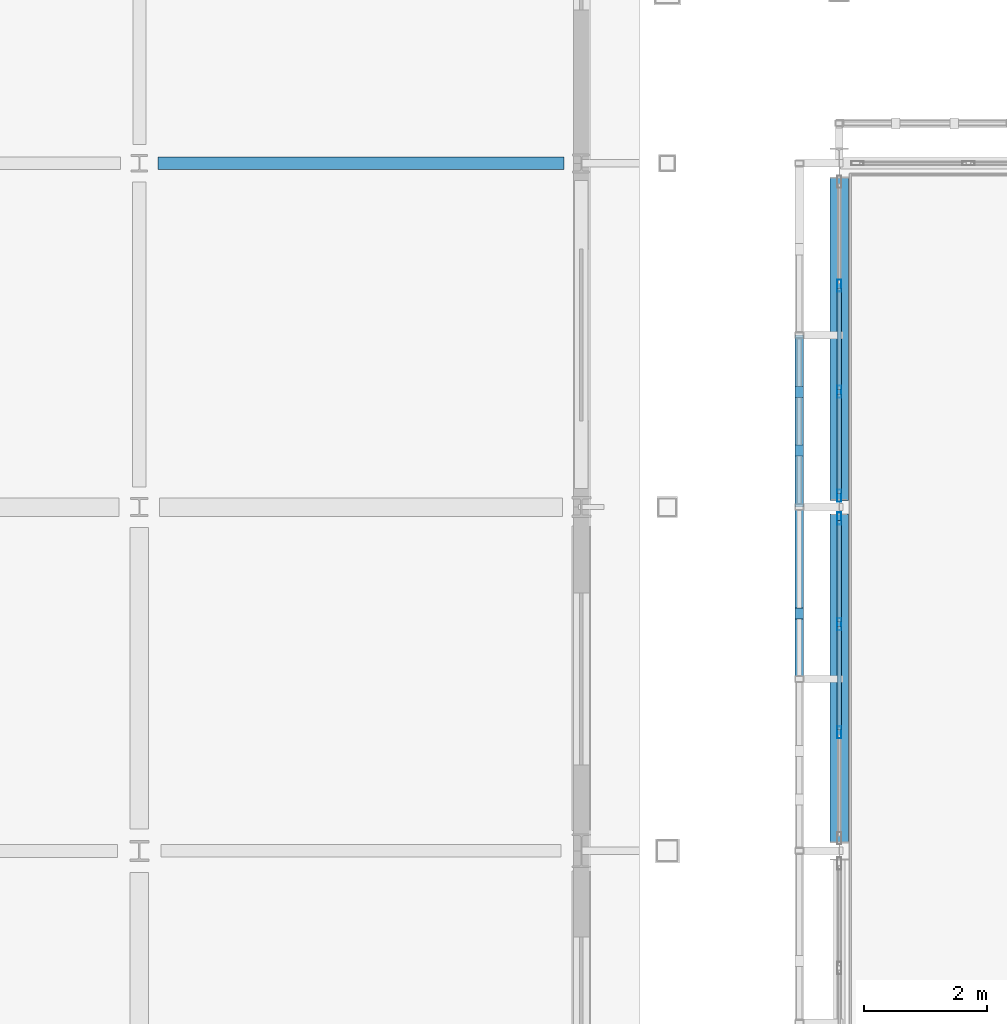
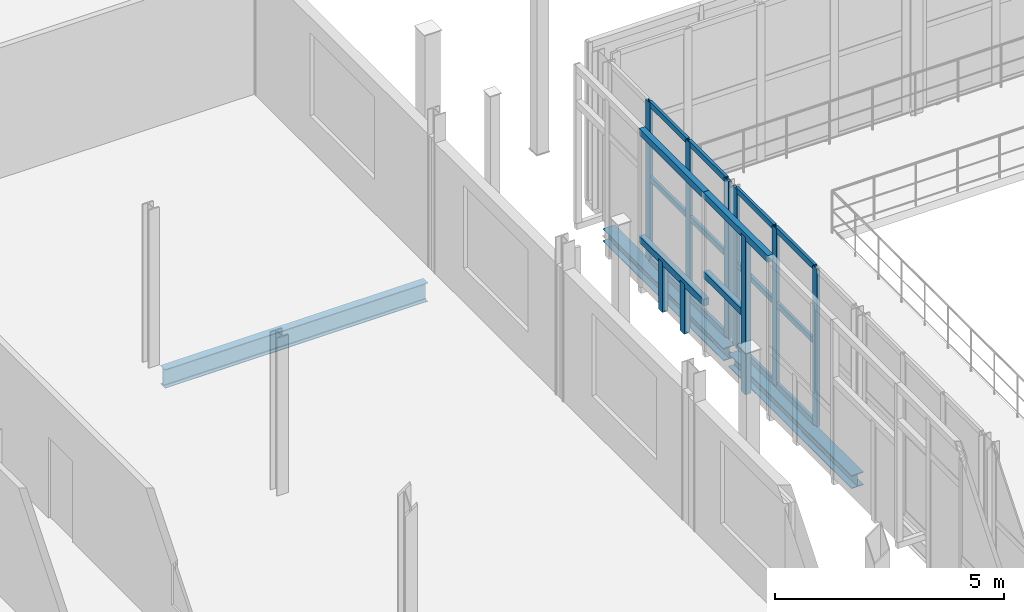
# One storey, part 39 of 138: 25 members, 3 beams, 2 elements without a shape of their own.
"""IFC4 building model written with IfcOpenShell, lengths in metres."""

from ifc_helpers import new_model, si_unit, direction, frame, origin, origin_2d, place, context, subcontext, project, spatial, rectangle, hollow_rectangle, i_section, extrude, material, layer, layer_set, material_profile, profile_set, type_object, element, aggregate, save


model = new_model("IFC4")

# Units and contexts
model_context = context("Model", 3, precision=1e-05, world=origin(), true_north=direction((0.0, 1.0)))
body_context = subcontext(model_context, "Body", "Model", "MODEL_VIEW")
ifc_project = project(units=[si_unit("LENGTHUNIT", "METRE"), si_unit("AREAUNIT", "SQUARE_METRE"), si_unit("VOLUMEUNIT", "CUBIC_METRE"), si_unit("PLANEANGLEUNIT", "RADIAN"), si_unit("MASSUNIT", "GRAM", prefix="KILO")], contexts=[model_context])

# Site, building, storey
site_placement = place(None, origin())
site = spatial("IfcSite", under=ifc_project, at=site_placement, CompositionType="ELEMENT")
building_placement = place(site_placement, origin())
building = spatial("IfcBuilding", under=site, at=building_placement, Name="Vinh Khe Railworks Police Headquarters", CompositionType="ELEMENT")
storey_placement = place(building_placement, frame((0.0, 0.0, 9.0)))
storey = spatial("IfcBuildingStorey", under=building, at=storey_placement, Name="L02", CompositionType="ELEMENT", Elevation=9.0)

# Members
ifc_material_1 = material(Name="Salvaged ironwood timber", Category="wood")
ifc_material_profile_1 = material_profile(ifc_material_1, rectangle(XDim=0.139892578125, YDim=0.179931640625, at=origin_2d()), Name="TIMBER 140x180")
ifc_profile_set_1 = profile_set([ifc_material_profile_1], Name="Salvaged ironwood timber")
member_type_1 = type_object("IfcMemberType", Name="MEM-QUILT-STILE", PredefinedType="CHORD", material=ifc_profile_set_1)
member_1_placement = place(storey_placement, frame((25.75, 50.39990234375, 4.1201171875), z_axis=(0.0, 1.0, 0.0), x_axis=(-1.0, 0.0, 0.0)))
element("IfcMember", 1, at=member_1_placement, inside=storey, type_object=member_type_1, Name="Salvaged Timber Quilt Transom W-L02-09-TOP", PredefinedType="CHORD", context=body_context, shape_type="SweptSolid", body=[
    extrude(rectangle(XDim=0.139892578125, YDim=0.179931640625, at=origin_2d()), origin(), (0.0, 0.0, 1.0), 2.800048828125),
])
member_2_placement = place(storey_placement, frame((25.75, 51.464111328125, -0.080078125), z_axis=(0.0, 0.0, 1.0), x_axis=(1.0, 0.0, 0.0)))
element("IfcMember", 2, at=member_2_placement, inside=storey, type_object=member_type_1, Name="Salvaged Timber Quilt Stile W-L02-09-V1", PredefinedType="POST", context=body_context, shape_type="SweptSolid", body=[
    extrude(rectangle(XDim=0.139892578125, YDim=0.179931640625, at=origin_2d()), origin(), (0.0, 0.0, 1.0), 4.2001953125),
])
member_3_placement = place(storey_placement, frame((25.75, 51.464111328125, 2.01611328125), z_axis=(0.0, 1.0, 0.0), x_axis=(-1.0, 0.0, 0.0)))
element("IfcMember", 3, at=member_3_placement, inside=storey, type_object=member_type_1, Name="Salvaged Timber Quilt Transom W-L02-09-M1", PredefinedType="CHORD", context=body_context, shape_type="SweptSolid", body=[
    extrude(rectangle(XDim=0.139892578125, YDim=0.179931640625, at=origin_2d()), origin(), (0.0, 0.0, 1.0), 1.73583984375),
])
for number, where, z_axis, x_axis, name in (
    (4, (25.75, 53.199951171875, 4.1201171875), (0.0, 1.0, 0.0), (-1.0, 0.0, 0.0), "Salvaged Timber Quilt Transom W-L02-10-TOP"),
    (5, (25.75, 53.199951171875, 1.260009765625), (0.0, 1.0, 0.0), (-1.0, 0.0, 0.0), "Salvaged Timber Quilt Transom W-L02-10-M1"),
):
    element("IfcMember", number, at=place(storey_placement, frame(where, z_axis=z_axis, x_axis=x_axis)), inside=storey, type_object=member_type_1, Name=name, PredefinedType="CHORD", context=body_context, shape_type="SweptSolid", body=[
        extrude(rectangle(XDim=0.139892578125, YDim=0.179931640625, at=origin_2d()), origin(), (0.0, 0.0, 1.0), 2.800048828125),
    ])
for number, where, z_axis, x_axis, name in (
    (6, (25.75, 54.1240234375, -0.080078125), (0.0, 0.0, 1.0), (1.0, 0.0, 0.0), "Salvaged Timber Quilt Stile W-L02-10-V1"),
    (7, (25.75, 55.075927734375, -0.080078125), (0.0, 0.0, 1.0), (1.0, 0.0, 0.0), "Salvaged Timber Quilt Stile W-L02-10-V2"),
):
    element("IfcMember", number, at=place(storey_placement, frame(where, z_axis=z_axis, x_axis=x_axis)), inside=storey, type_object=member_type_1, Name=name, PredefinedType="POST", context=body_context, shape_type="SweptSolid", body=[
        extrude(rectangle(XDim=0.139892578125, YDim=0.179931640625, at=origin_2d()), origin(), (0.0, 0.0, 1.0), 1.340087890625),
    ])

# Curtain wall, members
ifc_material_2 = material(Name="Anodised aluminium and low-iron glass", Category="aluminium")
ifc_layer = layer(ifc_material_2, 0.179931640625)
ifc_layer_set = layer_set([ifc_layer], Name="Anodised aluminium and low-iron glass")
curtain_wall_type = type_object("IfcCurtainWallType", Name="CW-CUBE-UNIT", PredefinedType="USERDEFINED", material=ifc_layer_set)
curtain_wall_1_placement = place(storey_placement, origin())
curtain_wall_1 = element("IfcCurtainWall", 8, at=curtain_wall_1_placement, inside=storey, type_object=curtain_wall_type, Name="Entrance Hall Curtain Wall L02 W-5", ObjectType="UNITISED GLAZING", PredefinedType="USERDEFINED")
ifc_material_3 = material(Name="Anodised aluminium 6063-T6", Category="aluminium")
ifc_material_profile_2 = material_profile(ifc_material_3, hollow_rectangle(XDim=0.070068359375, YDim=0.199951171875, WallThickness=0.0048828125, at=origin_2d()), Name="CW-M 70x200x5")
ifc_profile_set_2 = profile_set([ifc_material_profile_2], Name="Anodised aluminium 6063-T6")
member_type_2 = type_object("IfcMemberType", Name="MULL-CWM-03", PredefinedType="MULLION", material=ifc_profile_set_2)
member_4_placement = place(storey_placement, frame((26.39990234375, 49.530029296875, 0.0), z_axis=(0.0, 0.0, 1.0), x_axis=(-1.0, 0.0, 0.0)))
member_4 = element("IfcMember", 9, at=member_4_placement, type_object=member_type_2, Name="CW-01 mullion 2", PredefinedType="MULLION", context=body_context, shape_type="SweptSolid", body=[
    extrude(hollow_rectangle(XDim=0.070068359375, YDim=0.199951171875, WallThickness=0.0048828125, at=origin_2d()), origin(), (0.0, 0.0, 1.0), 4.199951171875),
])
member_5_placement = place(storey_placement, frame((26.39990234375, 51.2900390625, 0.0), z_axis=(0.0, 0.0, 1.0), x_axis=(-1.0, 0.0, 0.0)))
member_5 = element("IfcMember", 10, at=member_5_placement, type_object=member_type_2, Name="CW-01 mullion 3", PredefinedType="MULLION", context=body_context, shape_type="SweptSolid", body=[
    extrude(hollow_rectangle(XDim=0.070068359375, YDim=0.199951171875, WallThickness=0.0048828125, at=origin_2d()), origin(), (0.0, 0.0, 1.0), 4.199951171875),
])
member_6_placement = place(storey_placement, frame((26.39990234375, 53.014892578125, 0.0), z_axis=(0.0, 0.0, 1.0), x_axis=(-1.0, 0.0, 0.0)))
member_6 = element("IfcMember", 11, at=member_6_placement, type_object=member_type_2, Name="CW-01 mullion 4", PredefinedType="MULLION", context=body_context, shape_type="SweptSolid", body=[
    extrude(hollow_rectangle(XDim=0.070068359375, YDim=0.199951171875, WallThickness=0.0048828125, at=origin_2d()), origin(), (0.0, 0.0, 1.0), 4.199951171875),
])

curtain_wall_2_placement = place(storey_placement, origin())
curtain_wall_2 = element("IfcCurtainWall", 12, at=curtain_wall_2_placement, inside=storey, type_object=curtain_wall_type, Name="Entrance Hall Curtain Wall L02 W-6", ObjectType="UNITISED GLAZING", PredefinedType="USERDEFINED")
member_7_placement = place(storey_placement, frame((26.39990234375, 53.385009765625, 0.0), z_axis=(0.0, 0.0, 1.0), x_axis=(-1.0, 0.0, 0.0)))
member_7 = element("IfcMember", 13, at=member_7_placement, type_object=member_type_2, Name="CW-01 mullion 1", PredefinedType="MULLION", context=body_context, shape_type="SweptSolid", body=[
    extrude(hollow_rectangle(XDim=0.070068359375, YDim=0.199951171875, WallThickness=0.0048828125, at=origin_2d()), origin(), (0.0, 0.0, 1.0), 4.199951171875),
])
member_8_placement = place(storey_placement, frame((26.39990234375, 55.078369140625, 0.0), z_axis=(0.0, 0.0, 1.0), x_axis=(-1.0, 0.0, 0.0)))
member_8 = element("IfcMember", 14, at=member_8_placement, type_object=member_type_2, Name="CW-01 mullion 2", PredefinedType="MULLION", context=body_context, shape_type="SweptSolid", body=[
    extrude(hollow_rectangle(XDim=0.070068359375, YDim=0.199951171875, WallThickness=0.0048828125, at=origin_2d()), origin(), (0.0, 0.0, 1.0), 4.199951171875),
])
member_9_placement = place(storey_placement, frame((26.39990234375, 56.806640625, 0.0), z_axis=(0.0, 0.0, 1.0), x_axis=(-1.0, 0.0, 0.0)))
member_9 = element("IfcMember", 15, at=member_9_placement, type_object=member_type_2, Name="CW-01 mullion 3", PredefinedType="MULLION", context=body_context, shape_type="SweptSolid", body=[
    extrude(hollow_rectangle(XDim=0.070068359375, YDim=0.199951171875, WallThickness=0.0048828125, at=origin_2d()), origin(), (0.0, 0.0, 1.0), 4.199951171875),
])

# Beams
ifc_material_4 = material(Name="Steel S355JR", Category="steel")
ifc_material_profile_3 = material_profile(ifc_material_4, i_section(OverallWidth=0.300048828125, OverallDepth=0.330078125, WebThickness=0.009521484375, FlangeThickness=0.0166015625, FilletRadius=0.027099609375, at=origin_2d()), Name="HEA 340")
ifc_profile_set_3 = profile_set([ifc_material_profile_3], Name="Steel S355JR")
beam_type_1 = type_object("IfcBeamType", Name="Steel Girder HEA 340", PredefinedType="BEAM", material=ifc_profile_set_3)
beam_1_placement = place(storey_placement, frame((26.39990234375, 53.31005859375, -0.385009765625), z_axis=(0.0, 1.0, 0.0), x_axis=(-1.0, 0.0, 0.0)))
element("IfcBeam", 16, at=beam_1_placement, inside=storey, type_object=beam_type_1, Name="Girder BM-L02-NS-SB-16-0950", PredefinedType="BEAM", context=body_context, shape_type="SweptSolid", body=[
    extrude(i_section(OverallWidth=0.300048828125, OverallDepth=0.330078125, WebThickness=0.009521484375, FlangeThickness=0.0166015625, FilletRadius=0.027099609375, at=origin_2d()), origin(), (0.0, 0.0, 1.0), 5.264892578125),
])
ifc_material_profile_4 = material_profile(ifc_material_4, i_section(OverallWidth=0.300048828125, OverallDepth=0.35009765625, WebThickness=0.010009765625, FlangeThickness=0.017578125, FilletRadius=0.027099609375, at=origin_2d()), Name="HEA 360")
ifc_profile_set_4 = profile_set([ifc_material_profile_4], Name="Steel S355JR")
beam_type_2 = type_object("IfcBeamType", Name="Steel Girder HEA 360", PredefinedType="BEAM", material=ifc_profile_set_4)
beam_2_placement = place(storey_placement, frame((26.39990234375, 47.72998046875, -0.39501953125), z_axis=(0.0, 1.0, 0.0), x_axis=(-1.0, 0.0, 0.0)))
element("IfcBeam", 17, at=beam_2_placement, inside=storey, type_object=beam_type_2, Name="Girder BM-L02-NS-SB-15-0949", PredefinedType="BEAM", context=body_context, shape_type="SweptSolid", body=[
    extrude(i_section(OverallWidth=0.300048828125, OverallDepth=0.35009765625, WebThickness=0.010009765625, FlangeThickness=0.017578125, FilletRadius=0.027099609375, at=origin_2d()), origin(), (0.0, 0.0, 1.0), 5.360107421875),
])
ifc_material_profile_5 = material_profile(ifc_material_4, i_section(OverallWidth=0.199951171875, OverallDepth=0.5, WebThickness=0.01025390625, FlangeThickness=0.01611328125, FilletRadius=0.02099609375, at=origin_2d()), Name="IPE 500")
ifc_profile_set_5 = profile_set([ifc_material_profile_5], Name="Steel S355JR")
beam_type_3 = type_object("IfcBeamType", Name="Steel Girder IPE 500", PredefinedType="BEAM", material=ifc_profile_set_5)
beam_3_placement = place(storey_placement, frame((15.304931640625, 58.800048828125, -0.469970703125), z_axis=(1.0, 0.0, 0.0), x_axis=(0.0, 1.0, 0.0)))
element("IfcBeam", 18, at=beam_3_placement, inside=storey, type_object=beam_type_3, Name="Girder BM-L02-EW-SB-19-0785", PredefinedType="BEAM", context=body_context, shape_type="SweptSolid", body=[
    extrude(i_section(OverallWidth=0.199951171875, OverallDepth=0.5, WebThickness=0.01025390625, FlangeThickness=0.01611328125, FilletRadius=0.02099609375, at=origin_2d()), origin(), (0.0, 0.0, 1.0), 6.614990234375),
])

# Member
ifc_material_profile_6 = material_profile(ifc_material_3, hollow_rectangle(XDim=0.070068359375, YDim=0.14990234375, WallThickness=0.0048828125, at=origin_2d()), Name="CW-T 70x150x5")
ifc_profile_set_6 = profile_set([ifc_material_profile_6], Name="Anodised aluminium 6063-T6")
member_type_3 = type_object("IfcMemberType", Name="TRAN-CWT-03", PredefinedType="USERDEFINED", material=ifc_profile_set_6)
member_10_placement = place(storey_placement, frame((26.39990234375, 49.56494140625, 0.034912109375), z_axis=(0.0, 1.0, 0.0), x_axis=(-1.0, 0.0, 0.0)))
member_10 = element("IfcMember", 19, at=member_10_placement, type_object=member_type_3, Name="CW-01 transom 2.1", ObjectType="TRANSOM", PredefinedType="USERDEFINED", context=body_context, shape_type="SweptSolid", body=[
    extrude(hollow_rectangle(XDim=0.070068359375, YDim=0.14990234375, WallThickness=0.0048828125, at=origin_2d()), origin(), (0.0, 0.0, 1.0), 1.68994140625),
])

member_11_placement = place(storey_placement, frame((26.39990234375, 49.56494140625, 2.18408203125), z_axis=(0.0, 1.0, 0.0), x_axis=(-1.0, 0.0, 0.0)))
member_11 = element("IfcMember", 20, at=member_11_placement, type_object=member_type_3, Name="CW-01 transom 2.2", ObjectType="TRANSOM", PredefinedType="USERDEFINED", context=body_context, shape_type="SweptSolid", body=[
    extrude(hollow_rectangle(XDim=0.070068359375, YDim=0.14990234375, WallThickness=0.0048828125, at=origin_2d()), origin(), (0.0, 0.0, 1.0), 1.68994140625),
])

member_12_placement = place(storey_placement, frame((26.39990234375, 49.56494140625, 4.1650390625), z_axis=(0.0, 1.0, 0.0), x_axis=(-1.0, 0.0, 0.0)))
member_12 = element("IfcMember", 21, at=member_12_placement, type_object=member_type_3, Name="CW-01 transom 2.3", ObjectType="TRANSOM", PredefinedType="USERDEFINED", context=body_context, shape_type="SweptSolid", body=[
    extrude(hollow_rectangle(XDim=0.070068359375, YDim=0.14990234375, WallThickness=0.0048828125, at=origin_2d()), origin(), (0.0, 0.0, 1.0), 1.68994140625),
])

member_13_placement = place(storey_placement, frame((26.39990234375, 51.324951171875, 0.034912109375), z_axis=(0.0, 1.0, 0.0), x_axis=(-1.0, 0.0, 0.0)))
member_13 = element("IfcMember", 22, at=member_13_placement, type_object=member_type_3, Name="CW-01 transom 3.1", ObjectType="TRANSOM", PredefinedType="USERDEFINED", context=body_context, shape_type="SweptSolid", body=[
    extrude(hollow_rectangle(XDim=0.070068359375, YDim=0.14990234375, WallThickness=0.0048828125, at=origin_2d()), origin(), (0.0, 0.0, 1.0), 1.655029296875),
])

member_14_placement = place(storey_placement, frame((26.39990234375, 51.324951171875, 2.18408203125), z_axis=(0.0, 1.0, 0.0), x_axis=(-1.0, 0.0, 0.0)))
member_14 = element("IfcMember", 23, at=member_14_placement, type_object=member_type_3, Name="CW-01 transom 3.2", ObjectType="TRANSOM", PredefinedType="USERDEFINED", context=body_context, shape_type="SweptSolid", body=[
    extrude(hollow_rectangle(XDim=0.070068359375, YDim=0.14990234375, WallThickness=0.0048828125, at=origin_2d()), origin(), (0.0, 0.0, 1.0), 1.655029296875),
])

member_15_placement = place(storey_placement, frame((26.39990234375, 51.324951171875, 4.1650390625), z_axis=(0.0, 1.0, 0.0), x_axis=(-1.0, 0.0, 0.0)))
member_15 = element("IfcMember", 24, at=member_15_placement, type_object=member_type_3, Name="CW-01 transom 3.3", ObjectType="TRANSOM", PredefinedType="USERDEFINED", context=body_context, shape_type="SweptSolid", body=[
    extrude(hollow_rectangle(XDim=0.070068359375, YDim=0.14990234375, WallThickness=0.0048828125, at=origin_2d()), origin(), (0.0, 0.0, 1.0), 1.655029296875),
])

aggregate(curtain_wall_1, [member_4, member_5, member_6, member_10, member_11, member_12, member_13, member_14, member_15])

member_16_placement = place(storey_placement, frame((26.39990234375, 53.419921875, 0.034912109375), z_axis=(0.0, 1.0, 0.0), x_axis=(-1.0, 0.0, 0.0)))
member_16 = element("IfcMember", 25, at=member_16_placement, type_object=member_type_3, Name="CW-01 transom 1.1", ObjectType="TRANSOM", PredefinedType="USERDEFINED", context=body_context, shape_type="SweptSolid", body=[
    extrude(hollow_rectangle(XDim=0.070068359375, YDim=0.14990234375, WallThickness=0.0048828125, at=origin_2d()), origin(), (0.0, 0.0, 1.0), 1.623291015625),
])

member_17_placement = place(storey_placement, frame((26.39990234375, 53.419921875, 2.18408203125), z_axis=(0.0, 1.0, 0.0), x_axis=(-1.0, 0.0, 0.0)))
member_17 = element("IfcMember", 26, at=member_17_placement, type_object=member_type_3, Name="CW-01 transom 1.2", ObjectType="TRANSOM", PredefinedType="USERDEFINED", context=body_context, shape_type="SweptSolid", body=[
    extrude(hollow_rectangle(XDim=0.070068359375, YDim=0.14990234375, WallThickness=0.0048828125, at=origin_2d()), origin(), (0.0, 0.0, 1.0), 1.623291015625),
])

member_18_placement = place(storey_placement, frame((26.39990234375, 53.419921875, 4.1650390625), z_axis=(0.0, 1.0, 0.0), x_axis=(-1.0, 0.0, 0.0)))
member_18 = element("IfcMember", 27, at=member_18_placement, type_object=member_type_3, Name="CW-01 transom 1.3", ObjectType="TRANSOM", PredefinedType="USERDEFINED", context=body_context, shape_type="SweptSolid", body=[
    extrude(hollow_rectangle(XDim=0.070068359375, YDim=0.14990234375, WallThickness=0.0048828125, at=origin_2d()), origin(), (0.0, 0.0, 1.0), 1.623291015625),
])

member_19_placement = place(storey_placement, frame((26.39990234375, 55.11328125, 0.034912109375), z_axis=(0.0, 1.0, 0.0), x_axis=(-1.0, 0.0, 0.0)))
member_19 = element("IfcMember", 28, at=member_19_placement, type_object=member_type_3, Name="CW-01 transom 2.1", ObjectType="TRANSOM", PredefinedType="USERDEFINED", context=body_context, shape_type="SweptSolid", body=[
    extrude(hollow_rectangle(XDim=0.070068359375, YDim=0.14990234375, WallThickness=0.0048828125, at=origin_2d()), origin(), (0.0, 0.0, 1.0), 1.658447265625),
])

member_20_placement = place(storey_placement, frame((26.39990234375, 55.11328125, 2.18408203125), z_axis=(0.0, 1.0, 0.0), x_axis=(-1.0, 0.0, 0.0)))
member_20 = element("IfcMember", 29, at=member_20_placement, type_object=member_type_3, Name="CW-01 transom 2.2", ObjectType="TRANSOM", PredefinedType="USERDEFINED", context=body_context, shape_type="SweptSolid", body=[
    extrude(hollow_rectangle(XDim=0.070068359375, YDim=0.14990234375, WallThickness=0.0048828125, at=origin_2d()), origin(), (0.0, 0.0, 1.0), 1.658447265625),
])

member_21_placement = place(storey_placement, frame((26.39990234375, 55.11328125, 4.1650390625), z_axis=(0.0, 1.0, 0.0), x_axis=(-1.0, 0.0, 0.0)))
member_21 = element("IfcMember", 30, at=member_21_placement, type_object=member_type_3, Name="CW-01 transom 2.3", ObjectType="TRANSOM", PredefinedType="USERDEFINED", context=body_context, shape_type="SweptSolid", body=[
    extrude(hollow_rectangle(XDim=0.070068359375, YDim=0.14990234375, WallThickness=0.0048828125, at=origin_2d()), origin(), (0.0, 0.0, 1.0), 1.658447265625),
])

aggregate(curtain_wall_2, [member_7, member_8, member_9, member_16, member_17, member_18, member_19, member_20, member_21])

save(model, "model.ifc")
